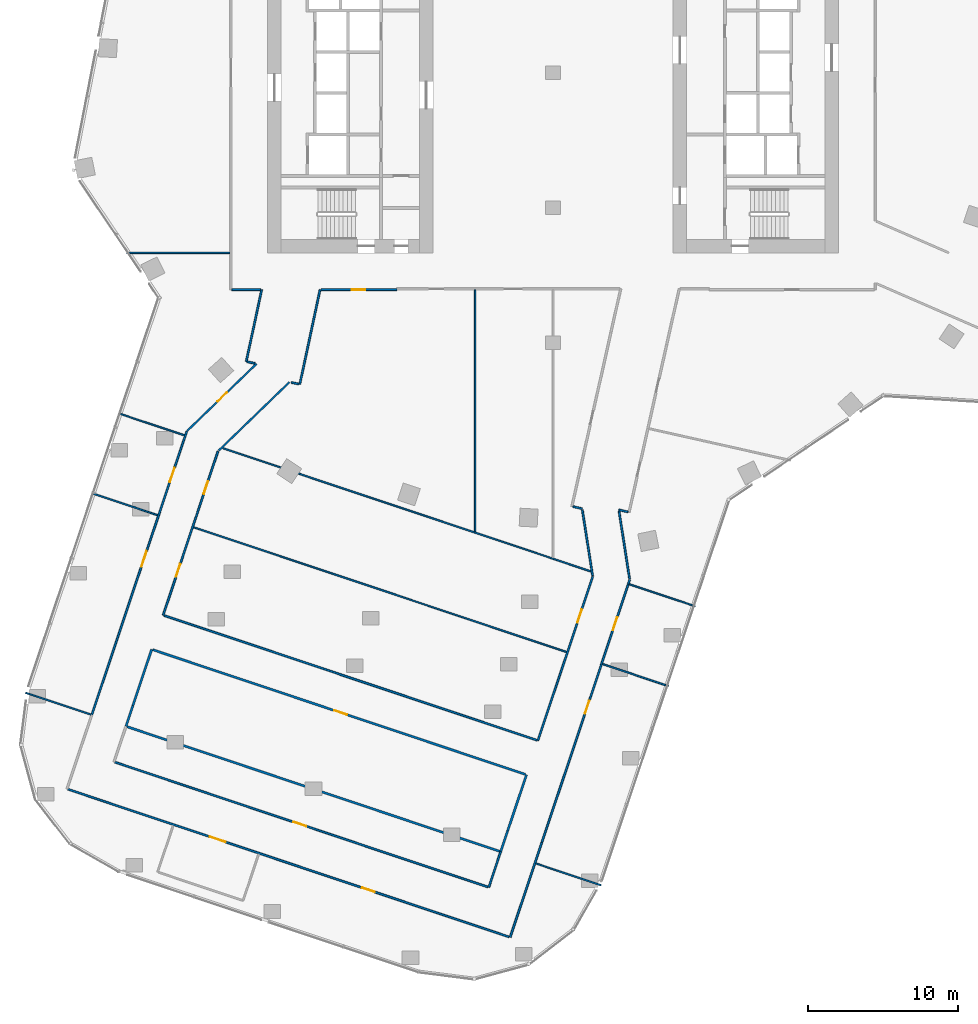
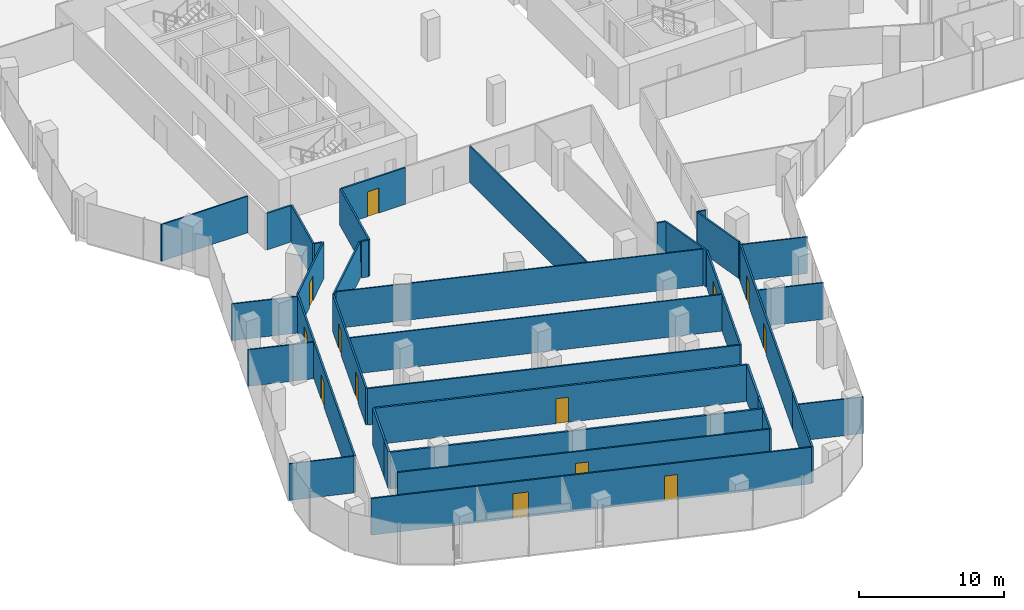
# One storey, part 22 of 32: 38 walls, 13 doors, 13 openings.
"""IFC4 building model written with IfcOpenShell, lengths in metres."""

from ifc_helpers import new_model, si_unit, direction, frame, frame_2d, origin, place, context, subcontext, project, spatial, rectangle, extrude, material, layer, layer_set, type_object, element, fill, save


model = new_model("IFC4")

# Units and contexts
model_context = context("Model", 3, precision=1e-05, world=origin(), true_north=direction((0.0, 1.0)))
body_context = subcontext(model_context, "Body", "Model", "MODEL_VIEW")
ifc_project = project(units=[si_unit("LENGTHUNIT", "METRE"), si_unit("AREAUNIT", "SQUARE_METRE"), si_unit("VOLUMEUNIT", "CUBIC_METRE"), si_unit("PLANEANGLEUNIT", "RADIAN"), si_unit("MASSUNIT", "GRAM", prefix="KILO")], contexts=[model_context])

# Site, building, storey
site_placement = place(None, origin())
site = spatial("IfcSite", under=ifc_project, at=site_placement, CompositionType="ELEMENT")
building_placement = place(site_placement, origin())
building = spatial("IfcBuilding", under=site, at=building_placement, Name="Orlundy Tower", CompositionType="ELEMENT")
storey_placement = place(building_placement, frame((0.0, 0.0, 149.10009765625)))
storey = spatial("IfcBuildingStorey", under=building, at=storey_placement, Name="L38", CompositionType="ELEMENT", Elevation=149.10009765625)

# Walls
ifc_material_1 = material(Name="Gypsum board partition")
ifc_layer_1 = layer(ifc_material_1, 0.10009765625)
ifc_layer_set_1 = layer_set([ifc_layer_1], Name="Floor partition 100")
wall_type_1 = type_object("IfcWallType", Name="Floor partition 100", PredefinedType="PARTITIONING", material=ifc_layer_set_1)
wall_1_placement = place(storey_placement, frame((-35.112060546875, -41.2919921875, 0.0), z_axis=(0.0, 0.0, 1.0), x_axis=(0.94831984375, -0.317316047419, 0.0)))
element("IfcWall", 1, at=wall_1_placement, inside=storey, type_object=wall_type_1, Name="wall-int-L38-012", PredefinedType="PARTITIONING", context=body_context, shape_type="SweptSolid", body=[
    extrude(rectangle(XDim=4.57568359375, YDim=0.10009765625, at=frame_2d((2.287841796875, 0.0))), origin(), (0.0, 0.0, 1.0), 3.079833984375),
])
wall_2_placement = place(storey_placement, frame((-1.14892578125, -52.656982421875, 0.0), z_axis=(0.0, 0.0, 1.0), x_axis=(0.948400148701, -0.317075949805, 0.0)))
element("IfcWall", 2, at=wall_2_placement, inside=storey, type_object=wall_type_1, Name="wall-int-L38-014", PredefinedType="PARTITIONING", context=body_context, shape_type="SweptSolid", body=[
    extrude(rectangle(XDim=4.575927734375, YDim=0.10009765625, at=frame_2d((2.2880859375, 0.0))), origin(), (0.0, 0.0, 1.0), 3.079833984375),
])
wall_3_placement = place(storey_placement, frame((-30.721923828125, -27.9990234375, 0.0), z_axis=(0.0, 0.0, 1.0), x_axis=(0.948355935611, -0.317208164132, 0.0)))
element("IfcWall", 3, at=wall_3_placement, inside=storey, type_object=wall_type_1, Name="wall-int-L38-017", PredefinedType="PARTITIONING", context=body_context, shape_type="SweptSolid", body=[
    extrude(rectangle(XDim=4.631103515625, YDim=0.10009765625, at=frame_2d((2.3154296875, 0.0))), origin(), (0.0, 0.0, 1.0), 3.079833984375),
])
wall_4_placement = place(storey_placement, frame((-23.93505859375, -30.27001953125, 0.0), z_axis=(0.0, 0.0, 1.0), x_axis=(0.948326561211, -0.317295971139, 0.0)))
element("IfcWall", 4, at=wall_4_placement, inside=storey, type_object=wall_type_1, Name="wall-int-L38-018", PredefinedType="PARTITIONING", context=body_context, shape_type="SweptSolid", body=[
    extrude(rectangle(XDim=26.187255859375, YDim=0.10009765625, at=frame_2d((13.09375, 0.0))), origin(), (0.0, 0.0, 1.0), 3.079833984375),
])
wall_5_placement = place(storey_placement, frame((3.2939453125, -39.3798828125, 0.0), z_axis=(0.0, 0.0, 1.0), x_axis=(0.948260676976, -0.317492816455, 0.0)))
element("IfcWall", 5, at=wall_5_placement, inside=storey, type_object=wall_type_1, Name="wall-int-L38-019", PredefinedType="PARTITIONING", context=body_context, shape_type="SweptSolid", body=[
    extrude(rectangle(XDim=4.630615234375, YDim=0.10009765625, at=frame_2d((2.3154296875, 0.0))), origin(), (0.0, 0.0, 1.0), 3.079833984375),
])
wall_6_placement = place(storey_placement, frame((-28.943115234375, -22.681884765625, 0.0), z_axis=(0.0, 0.0, 1.0), x_axis=(0.948361239818, -0.317192305725, 0.0)))
element("IfcWall", 6, at=wall_6_placement, inside=storey, type_object=wall_type_1, Name="wall-int-L38-020", PredefinedType="PARTITIONING", context=body_context, shape_type="SweptSolid", body=[
    extrude(rectangle(XDim=4.63134765625, YDim=0.10009765625, at=frame_2d((2.315673828125, 0.0))), origin(), (0.0, 0.0, 1.0), 3.079833984375),
])
wall_7_placement = place(storey_placement, frame((-21.97998046875, -25.011962890625, 0.0), z_axis=(0.0, 0.0, 1.0), x_axis=(0.948312916699, -0.317336748614, 0.0)))
element("IfcWall", 7, at=wall_7_placement, inside=storey, type_object=wall_type_1, Name="wall-int-L38-021", PredefinedType="PARTITIONING", context=body_context, shape_type="SweptSolid", body=[
    extrude(rectangle(XDim=25.818359375, YDim=0.10009765625, at=frame_2d((12.9091796875, 0.0))), origin(), (0.0, 0.0, 1.0), 3.079833984375),
])
wall_8_placement = place(storey_placement, frame((5.072021484375, -34.06396484375, 0.0), z_axis=(0.0, 0.0, 1.0), x_axis=(0.948361239818, -0.317192305725, 0.0)))
element("IfcWall", 8, at=wall_8_placement, inside=storey, type_object=wall_type_1, Name="wall-int-L38-022", PredefinedType="PARTITIONING", context=body_context, shape_type="SweptSolid", body=[
    extrude(rectangle(XDim=4.63134765625, YDim=0.10009765625, at=frame_2d((2.315673828125, 0.0))), origin(), (0.0, 0.0, 1.0), 3.079833984375),
])
wall_9_placement = place(storey_placement, frame((-28.39404296875, -12.0, 0.0), z_axis=(0.0, 0.0, 1.0), x_axis=(1.0, 0.0, 0.0)))
element("IfcWall", 9, at=wall_9_placement, inside=storey, type_object=wall_type_1, Name="wall-int-L38-051", PredefinedType="PARTITIONING", context=body_context, shape_type="SweptSolid", body=[
    extrude(rectangle(XDim=6.882080078125, YDim=0.10009765625, at=frame_2d((3.44091796875, 0.0))), origin(), (0.0, 0.0, 1.0), 3.079833984375),
])
wall_10_placement = place(storey_placement, frame((-5.195068359375, -30.55908203125, 0.0), z_axis=(0.0, 0.0, 1.0), x_axis=(0.0, 1.0, 0.0)))
element("IfcWall", 10, at=wall_10_placement, inside=storey, type_object=wall_type_1, Name="wall-int-L38-109", PredefinedType="PARTITIONING", context=body_context, shape_type="SweptSolid", body=[
    extrude(rectangle(XDim=16.09619140625, YDim=0.10009765625, at=frame_2d((8.048095703125, 0.0))), origin(), (0.0, 0.0, 1.0), 3.079833984375),
])
ifc_material_2 = material(Name="Gypsum board partition, double layer")
ifc_layer_2 = layer(ifc_material_2, 0.125)
ifc_layer_set_2 = layer_set([ifc_layer_2], Name="Floor partition 125")
wall_type_2 = type_object("IfcWallType", Name="Floor partition 125", PredefinedType="PARTITIONING", material=ifc_layer_set_2)
wall_11_placement = place(storey_placement, frame((2.634033203125, -33.4970703125, 0.0), z_axis=(0.0, 0.0, 1.0), x_axis=(-0.153972826204, 0.988075082567, 0.0)))
element("IfcWall", 11, at=wall_11_placement, inside=storey, type_object=wall_type_2, Name="wall-int-L38-003", PredefinedType="PARTITIONING", context=body_context, shape_type="SweptSolid", body=[
    extrude(rectangle(XDim=4.423828125, YDim=0.125, at=frame_2d((2.2119140625, 0.0))), origin(), (0.0, 0.0, 1.0), 3.079833984375),
])
wall_12_placement = place(storey_placement, frame((4.39501953125, -29.20703125, 0.0), z_axis=(0.0, 0.0, 1.0), x_axis=(0.153971141753, -0.988075345056, 0.0)))
element("IfcWall", 12, at=wall_12_placement, inside=storey, type_object=wall_type_2, Name="wall-int-L38-004", PredefinedType="PARTITIONING", context=body_context, shape_type="SweptSolid", body=[
    extrude(rectangle(XDim=4.55224609375, YDim=0.125, at=frame_2d((2.276123046875, 0.0))), origin(), (0.0, 0.0, 1.0), 3.079833984375),
])

# Wall, openings, doors
wall_13_placement = place(storey_placement, frame((-2.93994140625, -57.547119140625, 0.0), z_axis=(0.0, 0.0, 1.0), x_axis=(-0.948265401731, 0.317478704609, 0.0)))
wall_13 = element("IfcWall", 13, at=wall_13_placement, inside=storey, type_object=wall_type_2, Name="wall-int-L38-010", PredefinedType="PARTITIONING", context=body_context, shape_type="SweptSolid", body=[
    extrude(rectangle(XDim=30.966064453125, YDim=0.125, at=frame_2d((15.48291015625, 0.0))), origin(), (0.0, 0.0, 1.0), 3.079833984375),
])
opening_1_placement = place(wall_13_placement, frame((9.415283203125, 0.0, 0.0)))
opening_1 = element("IfcOpeningElement", 14, at=opening_1_placement, cuts=wall_13, Name="Opening 29118", PredefinedType="OPENING", context=body_context, shape_type="SweptSolid", body=[
    extrude(rectangle(XDim=0.89990234375, YDim=2.10009765625, at=frame_2d((0.449951171875, 1.050048828125))), frame((0.0, 0.072509765625, 0.0), z_axis=(0.0, -1.0, 0.0), x_axis=(1.0, 0.0, 0.0)), (0.0, 0.0, 1.0), 0.14501953125),
])
opening_2_placement = place(wall_13_placement, frame((19.899658203125, 0.0, 0.0)))
opening_2 = element("IfcOpeningElement", 15, at=opening_2_placement, cuts=wall_13, Name="Opening 29137", PredefinedType="OPENING", context=body_context, shape_type="SweptSolid", body=[
    extrude(rectangle(XDim=1.10009765625, YDim=2.10009765625, at=frame_2d((0.550048828125, 1.050048828125))), frame((0.0, 0.072509765625, 0.0), z_axis=(0.0, -1.0, 0.0), x_axis=(1.0, 0.0, 0.0)), (0.0, 0.0, 1.0), 0.14501953125),
])
ifc_material_3 = material(Name="Timber door leaf", Category="wood")
door_type_1 = type_object("IfcDoorType", Name="Floor door single 900 FD30S", OperationType="NOTDEFINED", PredefinedType="DOOR", material=ifc_material_3)
door_1_placement = place(opening_1_placement, origin())
door_1 = element("IfcDoor", 16, at=door_1_placement, inside=storey, type_object=door_type_1, Name="Door 29118", OperationType="SINGLE_SWING_LEFT", OverallHeight=2.10009765625, OverallWidth=0.89990234375, PredefinedType="DOOR", context=body_context, shape_type="SweptSolid", body=[
    extrude(rectangle(XDim=0.89990234375, YDim=2.10009765625, at=frame_2d((0.449951171875, 1.050048828125))), frame((0.0, 0.02490234375, 0.0), z_axis=(0.0, -1.0, 0.0), x_axis=(1.0, 0.0, 0.0)), (0.0, 0.0, 1.0), 0.050048828125),
])
fill(opening_1, door_1)
ifc_material_4 = material(Name="Timber door leaf", Category="wood")
door_type_2 = type_object("IfcDoorType", Name="Floor door xwide 1100 FD30S", OperationType="NOTDEFINED", PredefinedType="DOOR", material=ifc_material_4)
door_2_placement = place(opening_2_placement, origin())
door_2 = element("IfcDoor", 17, at=door_2_placement, inside=storey, type_object=door_type_2, Name="Door 29137", OperationType="SINGLE_SWING_RIGHT", OverallHeight=2.10009765625, OverallWidth=1.10009765625, PredefinedType="DOOR", context=body_context, shape_type="SweptSolid", body=[
    extrude(rectangle(XDim=1.10009765625, YDim=2.10009765625, at=frame_2d((0.550048828125, 1.050048828125))), frame((0.0, 0.02490234375, 0.0), z_axis=(0.0, -1.0, 0.0), x_axis=(1.0, 0.0, 0.0)), (0.0, 0.0, 1.0), 0.050048828125),
])
fill(opening_2, door_2)

# Wall, opening, door
wall_14_placement = place(storey_placement, frame((-29.1708984375, -45.9169921875, 0.0), z_axis=(0.0, 0.0, 1.0), x_axis=(0.948337781815, -0.317262433299, 0.0)))
wall_14 = element("IfcWall", 18, at=wall_14_placement, inside=storey, type_object=wall_type_2, Name="wall-int-L38-011", PredefinedType="PARTITIONING", context=body_context, shape_type="SweptSolid", body=[
    extrude(rectangle(XDim=26.186767578125, YDim=0.125, at=frame_2d((13.09326171875, 0.0))), origin(), (0.0, 0.0, 1.0), 3.079833984375),
])
opening_3_placement = place(wall_14_placement, frame((12.53759765625, 0.0, 0.0)))
opening_3 = element("IfcOpeningElement", 19, at=opening_3_placement, cuts=wall_14, Name="Opening 29117", PredefinedType="OPENING", context=body_context, shape_type="SweptSolid", body=[
    extrude(rectangle(XDim=0.89990234375, YDim=2.10009765625, at=frame_2d((0.449951171875, 1.050048828125))), frame((0.0, 0.072509765625, 0.0), z_axis=(0.0, -1.0, 0.0), x_axis=(1.0, 0.0, 0.0)), (0.0, 0.0, 1.0), 0.14501953125),
])
door_3_placement = place(opening_3_placement, origin())
door_3 = element("IfcDoor", 20, at=door_3_placement, inside=storey, type_object=door_type_1, Name="Door 29117", OperationType="SINGLE_SWING_LEFT", OverallHeight=2.10009765625, OverallWidth=0.89990234375, PredefinedType="DOOR", context=body_context, shape_type="SweptSolid", body=[
    extrude(rectangle(XDim=0.89990234375, YDim=2.10009765625, at=frame_2d((0.449951171875, 1.050048828125))), frame((0.0, 0.02490234375, 0.0), z_axis=(0.0, -1.0, 0.0), x_axis=(1.0, 0.0, 0.0)), (0.0, 0.0, 1.0), 0.050048828125),
])
fill(opening_3, door_3)

# Walls
wall_15_placement = place(storey_placement, frame((-25.90087890625, -36.14599609375, 0.0), z_axis=(0.0, 0.0, 1.0), x_axis=(0.948326561211, -0.317295971139, 0.0)))
element("IfcWall", 21, at=wall_15_placement, inside=storey, type_object=wall_type_2, Name="wall-int-L38-016", PredefinedType="PARTITIONING", context=body_context, shape_type="SweptSolid", body=[
    extrude(rectangle(XDim=26.187255859375, YDim=0.125, at=frame_2d((13.09375, 0.0))), origin(), (0.0, 0.0, 1.0), 3.079833984375),
])
wall_16_placement = place(storey_placement, frame((1.31689453125, -28.89599609375, 0.0), z_axis=(0.0, 0.0, 1.0), x_axis=(0.9759612217, -0.217944244563, 0.0)))
element("IfcWall", 22, at=wall_16_placement, inside=storey, type_object=wall_type_2, Name="wall-int-L38-024", PredefinedType="PARTITIONING", context=body_context, shape_type="SweptSolid", body=[
    extrude(rectangle(XDim=0.637451171875, YDim=0.125, at=frame_2d((0.31884765625, 0.0))), origin(), (0.0, 0.0, 1.0), 3.079833984375),
])
wall_17_placement = place(storey_placement, frame((4.381103515625, -29.115966796875, 0.0), z_axis=(0.0, 0.0, 1.0), x_axis=(0.975943017671, -0.218025746782, 0.0)))
element("IfcWall", 23, at=wall_17_placement, inside=storey, type_object=wall_type_2, Name="wall-int-L38-025", PredefinedType="PARTITIONING", context=body_context, shape_type="SweptSolid", body=[
    extrude(rectangle(XDim=0.63720703125, YDim=0.125, at=frame_2d((0.318603515625, 0.0))), origin(), (0.0, 0.0, 1.0), 3.079833984375),
])
wall_18_placement = place(storey_placement, frame((-17.43310546875, -20.6298828125, 0.0), z_axis=(0.0, 0.0, 1.0), x_axis=(0.977781820865, -0.209625167351, 0.0)))
element("IfcWall", 24, at=wall_18_placement, inside=storey, type_object=wall_type_2, Name="wall-int-L38-026", PredefinedType="PARTITIONING", context=body_context, shape_type="SweptSolid", body=[
    extrude(rectangle(XDim=0.5205078125, YDim=0.125, at=frame_2d((0.26025390625, 0.0))), origin(), (0.0, 0.0, 1.0), 3.079833984375),
])
wall_19_placement = place(storey_placement, frame((-20.364013671875, -19.25390625, 0.0), z_axis=(0.0, 0.0, 1.0), x_axis=(0.977699164018, -0.210010344217, 0.0)))
element("IfcWall", 25, at=wall_19_placement, inside=storey, type_object=wall_type_2, Name="wall-int-L38-027", PredefinedType="PARTITIONING", context=body_context, shape_type="SweptSolid", body=[
    extrude(rectangle(XDim=0.51953125, YDim=0.125, at=frame_2d((0.259765625, 0.0))), origin(), (0.0, 0.0, 1.0), 3.079833984375),
])
wall_20_placement = place(storey_placement, frame((-21.386962890625, -14.450927734375, 0.0), z_axis=(0.0, 0.0, 1.0), x_axis=(1.0, 0.0, 0.0)))
element("IfcWall", 26, at=wall_20_placement, inside=storey, type_object=wall_type_2, Name="wall-int-L38-046", PredefinedType="PARTITIONING", context=body_context, shape_type="SweptSolid", body=[
    extrude(rectangle(XDim=1.911865234375, YDim=0.125, at=frame_2d((0.9560546875, 0.0))), origin(), (0.0, 0.0, 1.0), 3.079833984375),
])

# Wall, opening, door
wall_21_placement = place(storey_placement, frame((-10.39111328125, -14.450927734375, 0.0), z_axis=(0.0, 0.0, 1.0), x_axis=(-1.0, 0.0, 0.0)))
wall_21 = element("IfcWall", 27, at=wall_21_placement, inside=storey, type_object=wall_type_2, Name="wall-int-L38-047", PredefinedType="PARTITIONING", context=body_context, shape_type="SweptSolid", body=[
    extrude(rectangle(XDim=5.04296875, YDim=0.125, at=frame_2d((2.521484375, 0.0))), origin(), (0.0, 0.0, 1.0), 3.079833984375),
])
opening_4_placement = place(wall_21_placement, frame((2.10009765625, 0.0, 0.0)))
opening_4 = element("IfcOpeningElement", 28, at=opening_4_placement, cuts=wall_21, Name="Opening 29123", PredefinedType="OPENING", context=body_context, shape_type="SweptSolid", body=[
    extrude(rectangle(XDim=0.89990234375, YDim=2.10009765625, at=frame_2d((0.449951171875, 1.050048828125))), frame((0.0, 0.072509765625, 0.0), z_axis=(0.0, -1.0, 0.0), x_axis=(1.0, 0.0, 0.0)), (0.0, 0.0, 1.0), 0.14501953125),
])
door_4_placement = place(opening_4_placement, origin())
door_4 = element("IfcDoor", 29, at=door_4_placement, inside=storey, type_object=door_type_1, Name="Door 29123", OperationType="SINGLE_SWING_RIGHT", OverallHeight=2.10009765625, OverallWidth=0.89990234375, PredefinedType="DOOR", context=body_context, shape_type="SweptSolid", body=[
    extrude(rectangle(XDim=0.89990234375, YDim=2.10009765625, at=frame_2d((0.449951171875, 1.050048828125))), frame((0.0, 0.02490234375, 0.0), z_axis=(0.0, -1.0, 0.0), x_axis=(1.0, 0.0, 0.0)), (0.0, 0.0, 1.0), 0.050048828125),
])
fill(opening_4, door_4)

# Wall
wall_22_placement = place(storey_placement, frame((-17.547119140625, -20.60498046875, 0.0), z_axis=(0.0, 0.0, 1.0), x_axis=(-0.718656118165, -0.695365647572, 0.0)))
element("IfcWall", 30, at=wall_22_placement, inside=storey, type_object=wall_type_2, Name="wall-int-L38-059", PredefinedType="PARTITIONING", context=body_context, shape_type="SweptSolid", body=[
    extrude(rectangle(XDim=6.56201171875, YDim=0.125, at=frame_2d((3.281005859375, 0.0))), origin(), (0.0, 0.0, 1.0), 3.079833984375),
])

# Wall, opening, door
wall_23_placement = place(storey_placement, frame((-24.35400390625, -23.85009765625, 0.0), z_axis=(0.0, 0.0, 1.0), x_axis=(0.718689835624, 0.695330799095, 0.0)))
wall_23 = element("IfcWall", 31, at=wall_23_placement, inside=storey, type_object=wall_type_2, Name="wall-int-L38-060", PredefinedType="PARTITIONING", context=body_context, shape_type="SweptSolid", body=[
    extrude(rectangle(XDim=6.417236328125, YDim=0.125, at=frame_2d((3.20849609375, 0.0))), origin(), (0.0, 0.0, 1.0), 3.079833984375),
])
opening_5_placement = place(wall_23_placement, frame((2.78759765625, 0.0, 0.0)))
opening_5 = element("IfcOpeningElement", 32, at=opening_5_placement, cuts=wall_23, Name="Opening 29122", PredefinedType="OPENING", context=body_context, shape_type="SweptSolid", body=[
    extrude(rectangle(XDim=0.89990234375, YDim=2.10009765625, at=frame_2d((0.449951171875, 1.050048828125))), frame((0.0, 0.072509765625, 0.0), z_axis=(0.0, -1.0, 0.0), x_axis=(1.0, 0.0, 0.0)), (0.0, 0.0, 1.0), 0.14501953125),
])
door_5_placement = place(opening_5_placement, origin())
door_5 = element("IfcDoor", 33, at=door_5_placement, inside=storey, type_object=door_type_1, Name="Door 29122", OperationType="SINGLE_SWING_RIGHT", OverallHeight=2.10009765625, OverallWidth=0.89990234375, PredefinedType="DOOR", context=body_context, shape_type="SweptSolid", body=[
    extrude(rectangle(XDim=0.89990234375, YDim=2.10009765625, at=frame_2d((0.449951171875, 1.050048828125))), frame((0.0, 0.02490234375, 0.0), z_axis=(0.0, -1.0, 0.0), x_axis=(1.0, 0.0, 0.0)), (0.0, 0.0, 1.0), 0.050048828125),
])
fill(opening_5, door_5)

# Walls
wall_24_placement = place(storey_placement, frame((-2.85791015625, -57.568115234375, 0.0), z_axis=(0.0, 0.0, 1.0), x_axis=(0.317328623894, 0.94831563546, 0.0)))
element("IfcWall", 34, at=wall_24_placement, inside=storey, type_object=wall_type_2, Name="wall-int-L38-063", PredefinedType="PARTITIONING", context=body_context, shape_type="SweptSolid", body=[
    extrude(rectangle(XDim=6.65185546875, YDim=0.125, at=frame_2d((3.325927734375, 0.0))), origin(), (0.0, 0.0, 1.0), 3.079833984375),
])
wall_25_placement = place(storey_placement, frame((5.012939453125, -34.0439453125, 0.0), z_axis=(0.0, 0.0, 1.0), x_axis=(0.318483843222, 0.947928289274, 0.0)))
element("IfcWall", 35, at=wall_25_placement, inside=storey, type_object=wall_type_2, Name="wall-int-L38-064", PredefinedType="PARTITIONING", context=body_context, shape_type="SweptSolid", body=[
    extrude(rectangle(XDim=0.2919921875, YDim=0.125, at=frame_2d((0.14599609375, 0.0))), origin(), (0.0, 0.0, 1.0), 3.079833984375),
])

# Wall, openings, doors
wall_26_placement = place(storey_placement, frame((5.013916015625, -34.047119140625, 0.0), z_axis=(0.0, 0.0, 1.0), x_axis=(-0.317385597106, -0.948296568986, 0.0)))
wall_26 = element("IfcWall", 36, at=wall_26_placement, inside=storey, type_object=wall_type_2, Name="wall-int-L38-065", PredefinedType="PARTITIONING", context=body_context, shape_type="SweptSolid", body=[
    extrude(rectangle(XDim=18.1513671875, YDim=0.125, at=frame_2d((9.07568359375, 0.0))), origin(), (0.0, 0.0, 1.0), 3.079833984375),
])
opening_6_placement = place(wall_26_placement, frame((2.34716796875, 0.0, 0.0)))
opening_6 = element("IfcOpeningElement", 37, at=opening_6_placement, cuts=wall_26, Name="Opening 29111", PredefinedType="OPENING", context=body_context, shape_type="SweptSolid", body=[
    extrude(rectangle(XDim=0.89990234375, YDim=2.10009765625, at=frame_2d((0.449951171875, 1.050048828125))), frame((0.0, 0.072509765625, 0.0), z_axis=(0.0, -1.0, 0.0), x_axis=(1.0, 0.0, 0.0)), (0.0, 0.0, 1.0), 0.14501953125),
])
opening_7_placement = place(wall_26_placement, frame((8.20263671875, 0.0, 0.0)))
opening_7 = element("IfcOpeningElement", 38, at=opening_7_placement, cuts=wall_26, Name="Opening 29112", PredefinedType="OPENING", context=body_context, shape_type="SweptSolid", body=[
    extrude(rectangle(XDim=0.89990234375, YDim=2.10009765625, at=frame_2d((0.449951171875, 1.050048828125))), frame((0.0, 0.072509765625, 0.0), z_axis=(0.0, -1.0, 0.0), x_axis=(1.0, 0.0, 0.0)), (0.0, 0.0, 1.0), 0.14501953125),
])
door_6_placement = place(opening_6_placement, origin())
door_6 = element("IfcDoor", 39, at=door_6_placement, inside=storey, type_object=door_type_1, Name="Door 29111", OperationType="SINGLE_SWING_LEFT", OverallHeight=2.10009765625, OverallWidth=0.89990234375, PredefinedType="DOOR", context=body_context, shape_type="SweptSolid", body=[
    extrude(rectangle(XDim=0.89990234375, YDim=2.10009765625, at=frame_2d((0.449951171875, 1.050048828125))), frame((0.0, 0.02490234375, 0.0), z_axis=(0.0, -1.0, 0.0), x_axis=(1.0, 0.0, 0.0)), (0.0, 0.0, 1.0), 0.050048828125),
])
fill(opening_6, door_6)
door_7_placement = place(opening_7_placement, origin())
door_7 = element("IfcDoor", 40, at=door_7_placement, inside=storey, type_object=door_type_1, Name="Door 29112", OperationType="SINGLE_SWING_LEFT", OverallHeight=2.10009765625, OverallWidth=0.89990234375, PredefinedType="DOOR", context=body_context, shape_type="SweptSolid", body=[
    extrude(rectangle(XDim=0.89990234375, YDim=2.10009765625, at=frame_2d((0.449951171875, 1.050048828125))), frame((0.0, 0.02490234375, 0.0), z_axis=(0.0, -1.0, 0.0), x_axis=(1.0, 0.0, 0.0)), (0.0, 0.0, 1.0), 0.050048828125),
])
fill(opening_7, door_7)

# Wall
wall_27_placement = place(storey_placement, frame((-4.278076171875, -54.2451171875, 0.0), z_axis=(0.0, 0.0, 1.0), x_axis=(0.31728257411, 0.948331043553, 0.0)))
element("IfcWall", 41, at=wall_27_placement, inside=storey, type_object=wall_type_2, Name="wall-int-L38-067", PredefinedType="PARTITIONING", context=body_context, shape_type="SweptSolid", body=[
    extrude(rectangle(XDim=2.499267578125, YDim=0.125, at=frame_2d((1.24951171875, 0.0))), origin(), (0.0, 0.0, 1.0), 3.079833984375),
])

# Wall, opening, door
wall_28_placement = place(storey_placement, frame((-1.008056640625, -44.47509765625, 0.0), z_axis=(0.0, 0.0, 1.0), x_axis=(0.317302986419, 0.948324213974, 0.0)))
wall_28 = element("IfcWall", 42, at=wall_28_placement, inside=storey, type_object=wall_type_2, Name="wall-int-L38-069", PredefinedType="PARTITIONING", context=body_context, shape_type="SweptSolid", body=[
    extrude(rectangle(XDim=11.509765625, YDim=0.125, at=frame_2d((5.7548828125, 0.0))), origin(), (0.0, 0.0, 1.0), 3.079833984375),
])
opening_8_placement = place(wall_28_placement, frame((8.296142578125, 0.0, 0.0)))
opening_8 = element("IfcOpeningElement", 43, at=opening_8_placement, cuts=wall_28, Name="Opening 29114", PredefinedType="OPENING", context=body_context, shape_type="SweptSolid", body=[
    extrude(rectangle(XDim=0.89990234375, YDim=2.10009765625, at=frame_2d((0.449951171875, 1.050048828125))), frame((0.0, 0.072509765625, 0.0), z_axis=(0.0, -1.0, 0.0), x_axis=(1.0, 0.0, 0.0)), (0.0, 0.0, 1.0), 0.14501953125),
])
door_8_placement = place(opening_8_placement, origin())
door_8 = element("IfcDoor", 44, at=door_8_placement, inside=storey, type_object=door_type_1, Name="Door 29114", OperationType="SINGLE_SWING_RIGHT", OverallHeight=2.10009765625, OverallWidth=0.89990234375, PredefinedType="DOOR", context=body_context, shape_type="SweptSolid", body=[
    extrude(rectangle(XDim=0.89990234375, YDim=2.10009765625, at=frame_2d((0.449951171875, 1.050048828125))), frame((0.0, 0.02490234375, 0.0), z_axis=(0.0, -1.0, 0.0), x_axis=(1.0, 0.0, 0.0)), (0.0, 0.0, 1.0), 0.050048828125),
])
fill(opening_8, door_8)

# Wall, openings, doors
wall_29_placement = place(storey_placement, frame((-22.30810546875, -25.2109375, 0.0), z_axis=(0.0, 0.0, 1.0), x_axis=(-0.317283910316, -0.948330596498, 0.0)))
wall_29 = element("IfcWall", 45, at=wall_29_placement, inside=storey, type_object=wall_type_2, Name="wall-int-L38-074", PredefinedType="PARTITIONING", context=body_context, shape_type="SweptSolid", body=[
    extrude(rectangle(XDim=11.509765625, YDim=0.125, at=frame_2d((5.7548828125, 0.0))), origin(), (0.0, 0.0, 1.0), 3.079833984375),
])
opening_9_placement = place(wall_29_placement, frame((2.099853515625, 0.0, 0.0)))
opening_9 = element("IfcOpeningElement", 46, at=opening_9_placement, cuts=wall_29, Name="Opening 29113", PredefinedType="OPENING", context=body_context, shape_type="SweptSolid", body=[
    extrude(rectangle(XDim=0.89990234375, YDim=2.10009765625, at=frame_2d((0.449951171875, 1.050048828125))), frame((0.0, 0.072509765625, 0.0), z_axis=(0.0, -1.0, 0.0), x_axis=(1.0, 0.0, 0.0)), (0.0, 0.0, 1.0), 0.14501953125),
])
opening_10_placement = place(wall_29_placement, frame((7.91357421875, 0.0, 0.0)))
opening_10 = element("IfcOpeningElement", 47, at=opening_10_placement, cuts=wall_29, Name="Opening 29115", PredefinedType="OPENING", context=body_context, shape_type="SweptSolid", body=[
    extrude(rectangle(XDim=0.89990234375, YDim=2.10009765625, at=frame_2d((0.449951171875, 1.050048828125))), frame((0.0, 0.072509765625, 0.0), z_axis=(0.0, -1.0, 0.0), x_axis=(1.0, 0.0, 0.0)), (0.0, 0.0, 1.0), 0.14501953125),
])
door_9_placement = place(opening_9_placement, origin())
door_9 = element("IfcDoor", 48, at=door_9_placement, inside=storey, type_object=door_type_1, Name="Door 29113", OperationType="SINGLE_SWING_LEFT", OverallHeight=2.10009765625, OverallWidth=0.89990234375, PredefinedType="DOOR", context=body_context, shape_type="SweptSolid", body=[
    extrude(rectangle(XDim=0.89990234375, YDim=2.10009765625, at=frame_2d((0.449951171875, 1.050048828125))), frame((0.0, 0.02490234375, 0.0), z_axis=(0.0, -1.0, 0.0), x_axis=(1.0, 0.0, 0.0)), (0.0, 0.0, 1.0), 0.050048828125),
])
fill(opening_9, door_9)
door_10_placement = place(opening_10_placement, origin())
door_10 = element("IfcDoor", 49, at=door_10_placement, inside=storey, type_object=door_type_1, Name="Door 29115", OperationType="SINGLE_SWING_RIGHT", OverallHeight=2.10009765625, OverallWidth=0.89990234375, PredefinedType="DOOR", context=body_context, shape_type="SweptSolid", body=[
    extrude(rectangle(XDim=0.89990234375, YDim=2.10009765625, at=frame_2d((0.449951171875, 1.050048828125))), frame((0.0, 0.02490234375, 0.0), z_axis=(0.0, -1.0, 0.0), x_axis=(1.0, 0.0, 0.0)), (0.0, 0.0, 1.0), 0.050048828125),
])
fill(opening_10, door_10)

wall_30_placement = place(storey_placement, frame((-30.714111328125, -42.763916015625, 0.0), z_axis=(0.0, 0.0, 1.0), x_axis=(0.317699123241, 0.94819157721, 0.0)))
wall_30 = element("IfcWall", 50, at=wall_30_placement, inside=storey, type_object=wall_type_2, Name="wall-int-L38-076", PredefinedType="PARTITIONING", context=body_context, shape_type="SweptSolid", body=[
    extrude(rectangle(XDim=19.90625, YDim=0.125, at=frame_2d((9.953125, 0.0))), origin(), (0.0, 0.0, 1.0), 3.079833984375),
])
opening_11_placement = place(wall_30_placement, frame((16.349609375, 0.0, 0.0)))
opening_11 = element("IfcOpeningElement", 51, at=opening_11_placement, cuts=wall_30, Name="Opening 29119", PredefinedType="OPENING", context=body_context, shape_type="SweptSolid", body=[
    extrude(rectangle(XDim=1.0, YDim=2.10009765625, at=frame_2d((0.5, 1.050048828125))), frame((0.0, 0.072509765625, 0.0), z_axis=(0.0, -1.0, 0.0), x_axis=(1.0, 0.0, 0.0)), (0.0, 0.0, 1.0), 0.14501953125),
])
opening_12_placement = place(wall_30_placement, frame((10.402587890625, 0.0, 0.0)))
opening_12 = element("IfcOpeningElement", 52, at=opening_12_placement, cuts=wall_30, Name="Opening 29120", PredefinedType="OPENING", context=body_context, shape_type="SweptSolid", body=[
    extrude(rectangle(XDim=1.10009765625, YDim=2.10009765625, at=frame_2d((0.550048828125, 1.050048828125))), frame((0.0, 0.072509765625, 0.0), z_axis=(0.0, -1.0, 0.0), x_axis=(1.0, 0.0, 0.0)), (0.0, 0.0, 1.0), 0.14501953125),
])
ifc_material_5 = material(Name="Timber door leaf", Category="wood")
door_type_3 = type_object("IfcDoorType", Name="Floor door wide 1000 FD30S", OperationType="NOTDEFINED", PredefinedType="DOOR", material=ifc_material_5)
door_11_placement = place(opening_11_placement, origin())
door_11 = element("IfcDoor", 53, at=door_11_placement, inside=storey, type_object=door_type_3, Name="Door 29119", OperationType="SINGLE_SWING_RIGHT", OverallHeight=2.10009765625, OverallWidth=1.0, PredefinedType="DOOR", context=body_context, shape_type="SweptSolid", body=[
    extrude(rectangle(XDim=1.0, YDim=2.10009765625, at=frame_2d((0.5, 1.050048828125))), frame((0.0, 0.02490234375, 0.0), z_axis=(0.0, -1.0, 0.0), x_axis=(1.0, 0.0, 0.0)), (0.0, 0.0, 1.0), 0.050048828125),
])
fill(opening_11, door_11)
door_12_placement = place(opening_12_placement, origin())
door_12 = element("IfcDoor", 54, at=door_12_placement, inside=storey, type_object=door_type_2, Name="Door 29120", OperationType="SINGLE_SWING_RIGHT", OverallHeight=2.10009765625, OverallWidth=1.10009765625, PredefinedType="DOOR", context=body_context, shape_type="SweptSolid", body=[
    extrude(rectangle(XDim=1.10009765625, YDim=2.10009765625, at=frame_2d((0.550048828125, 1.050048828125))), frame((0.0, 0.02490234375, 0.0), z_axis=(0.0, -1.0, 0.0), x_axis=(1.0, 0.0, 0.0)), (0.0, 0.0, 1.0), 0.050048828125),
])
fill(opening_12, door_12)

# Walls
wall_31_placement = place(storey_placement, frame((-16.862060546875, -20.751953125, 0.0), z_axis=(0.0, 0.0, 1.0), x_axis=(0.209655863281, 0.977775239506, 0.0)))
element("IfcWall", 55, at=wall_31_placement, inside=storey, type_object=wall_type_2, Name="wall-int-L38-083", PredefinedType="PARTITIONING", context=body_context, shape_type="SweptSolid", body=[
    extrude(rectangle(XDim=6.4443359375, YDim=0.125, at=frame_2d((3.22216796875, 0.0))), origin(), (0.0, 0.0, 1.0), 3.079833984375),
])
wall_32_placement = place(storey_placement, frame((-19.39794921875, -14.450927734375, 0.0), z_axis=(0.0, 0.0, 1.0), x_axis=(-0.209848984455, -0.977733810259, 0.0)))
element("IfcWall", 56, at=wall_32_placement, inside=storey, type_object=wall_type_2, Name="wall-int-L38-084", PredefinedType="PARTITIONING", context=body_context, shape_type="SweptSolid", body=[
    extrude(rectangle(XDim=4.899169921875, YDim=0.125, at=frame_2d((2.44970703125, 0.0))), origin(), (0.0, 0.0, 1.0), 3.079833984375),
])
ifc_material_6 = material(Name="Blockwork shaft wall", Category="masonry")
ifc_layer_3 = layer(ifc_material_6, 0.14990234375)
ifc_layer_set_3 = layer_set([ifc_layer_3], Name="Floor shaft wall 150")
wall_type_3 = type_object("IfcWallType", Name="Floor shaft wall 150", PredefinedType="PARTITIONING", material=ifc_layer_set_3)
wall_33_placement = place(storey_placement, frame((-28.365966796875, -43.550048828125, 0.0), z_axis=(0.0, 0.0, 1.0), x_axis=(0.948327152728, -0.317294203223, 0.0)))
element("IfcWall", 57, at=wall_33_placement, inside=storey, type_object=wall_type_3, Name="wall-int-L38-013", PredefinedType="PARTITIONING", context=body_context, shape_type="SweptSolid", body=[
    extrude(rectangle(XDim=26.161865234375, YDim=0.14990234375, at=frame_2d((13.0810546875, 0.0))), origin(), (0.0, 0.0, 1.0), 3.079833984375),
])

# Wall, opening, door
wall_34_placement = place(storey_placement, frame((-1.841064453125, -46.72802734375, 0.0), z_axis=(0.0, 0.0, 1.0), x_axis=(-0.94832621322, 0.317297011205, 0.0)))
wall_34 = element("IfcWall", 58, at=wall_34_placement, inside=storey, type_object=wall_type_3, Name="wall-int-L38-015", PredefinedType="PARTITIONING", context=body_context, shape_type="SweptSolid", body=[
    extrude(rectangle(XDim=26.16162109375, YDim=0.14990234375, at=frame_2d((13.080810546875, 0.0))), origin(), (0.0, 0.0, 1.0), 3.079833984375),
])
opening_13_placement = place(wall_34_placement, frame((12.52490234375, 0.0, 0.0)))
opening_13 = element("IfcOpeningElement", 59, at=opening_13_placement, cuts=wall_34, Name="Opening 29116", PredefinedType="OPENING", context=body_context, shape_type="SweptSolid", body=[
    extrude(rectangle(XDim=0.89990234375, YDim=2.10009765625, at=frame_2d((0.449951171875, 1.050048828125))), frame((0.0, 0.0849609375, 0.0), z_axis=(0.0, -1.0, 0.0), x_axis=(1.0, 0.0, 0.0)), (0.0, 0.0, 1.0), 0.169921875),
])
ifc_material_7 = material(Name="Timber door leaf", Category="wood")
door_type_4 = type_object("IfcDoorType", Name="Floor door single 900 FD60", OperationType="NOTDEFINED", PredefinedType="DOOR", material=ifc_material_7)
door_13_placement = place(opening_13_placement, origin())
door_13 = element("IfcDoor", 60, at=door_13_placement, inside=storey, type_object=door_type_4, Name="Door 29116", OperationType="SINGLE_SWING_LEFT", OverallHeight=2.10009765625, OverallWidth=0.89990234375, PredefinedType="DOOR", context=body_context, shape_type="SweptSolid", body=[
    extrude(rectangle(XDim=0.89990234375, YDim=2.10009765625, at=frame_2d((0.449951171875, 1.050048828125))), frame((0.0, 0.02490234375, 0.0), z_axis=(0.0, -1.0, 0.0), x_axis=(1.0, 0.0, 0.0)), (0.0, 0.0, 1.0), 0.050048828125),
])
fill(opening_13, door_13)

# Walls
wall_35_placement = place(storey_placement, frame((-3.485107421875, -51.875, 0.0), z_axis=(0.0, 0.0, 1.0), x_axis=(0.317791901712, 0.948160485997, 0.0)))
element("IfcWall", 61, at=wall_35_placement, inside=storey, type_object=wall_type_3, Name="wall-int-L38-066", PredefinedType="PARTITIONING", context=body_context, shape_type="SweptSolid", body=[
    extrude(rectangle(XDim=1.451171875, YDim=0.14990234375, at=frame_2d((0.7255859375, 0.0))), origin(), (0.0, 0.0, 1.0), 3.079833984375),
])
wall_36_placement = place(storey_placement, frame((-3.02392578125, -50.4990234375, 0.0), z_axis=(0.0, 0.0, 1.0), x_axis=(0.317339720629, 0.94831192216, 0.0)))
element("IfcWall", 62, at=wall_36_placement, inside=storey, type_object=wall_type_3, Name="wall-int-L38-068", PredefinedType="PARTITIONING", context=body_context, shape_type="SweptSolid", body=[
    extrude(rectangle(XDim=3.951416015625, YDim=0.14990234375, at=frame_2d((1.9755859375, 0.0))), origin(), (0.0, 0.0, 1.0), 3.079833984375),
])
wall_37_placement = place(storey_placement, frame((-28.43701171875, -43.52587890625, 0.0), z_axis=(0.0, 0.0, 1.0), x_axis=(0.317640646832, 0.94821116819, 0.0)))
element("IfcWall", 63, at=wall_37_placement, inside=storey, type_object=wall_type_3, Name="wall-int-L38-072", PredefinedType="PARTITIONING", context=body_context, shape_type="SweptSolid", body=[
    extrude(rectangle(XDim=1.451171875, YDim=0.14990234375, at=frame_2d((0.7255859375, 0.0))), origin(), (0.0, 0.0, 1.0), 3.079833984375),
])
wall_38_placement = place(storey_placement, frame((-27.97607421875, -42.14990234375, 0.0), z_axis=(0.0, 0.0, 1.0), x_axis=(0.317413881712, 0.948287101935, 0.0)))
element("IfcWall", 64, at=wall_38_placement, inside=storey, type_object=wall_type_3, Name="wall-int-L38-073", PredefinedType="PARTITIONING", context=body_context, shape_type="SweptSolid", body=[
    extrude(rectangle(XDim=3.951171875, YDim=0.14990234375, at=frame_2d((1.9755859375, 0.0))), origin(), (0.0, 0.0, 1.0), 3.079833984375),
])

save(model, "model.ifc")
